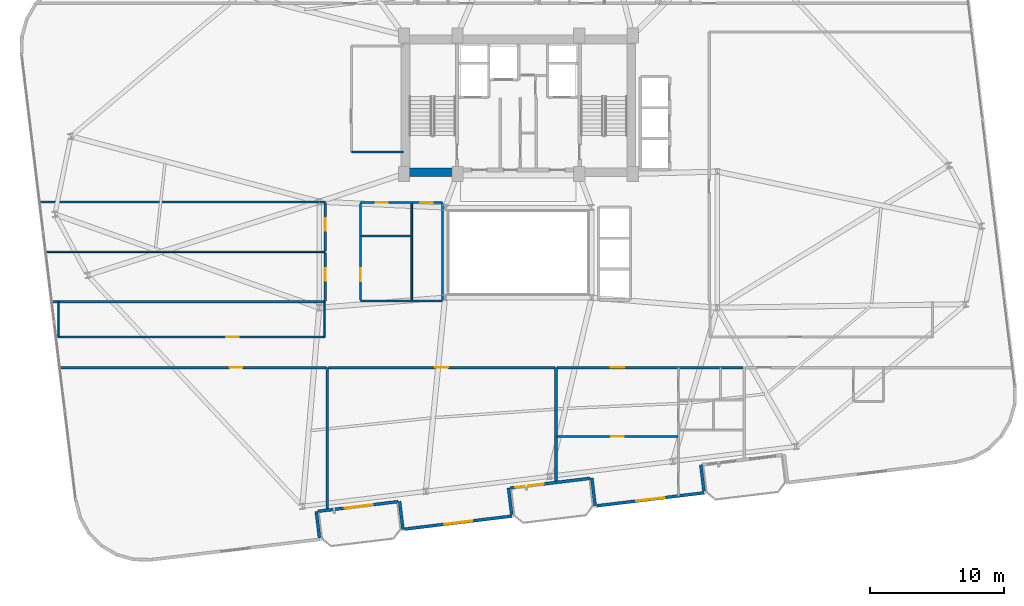
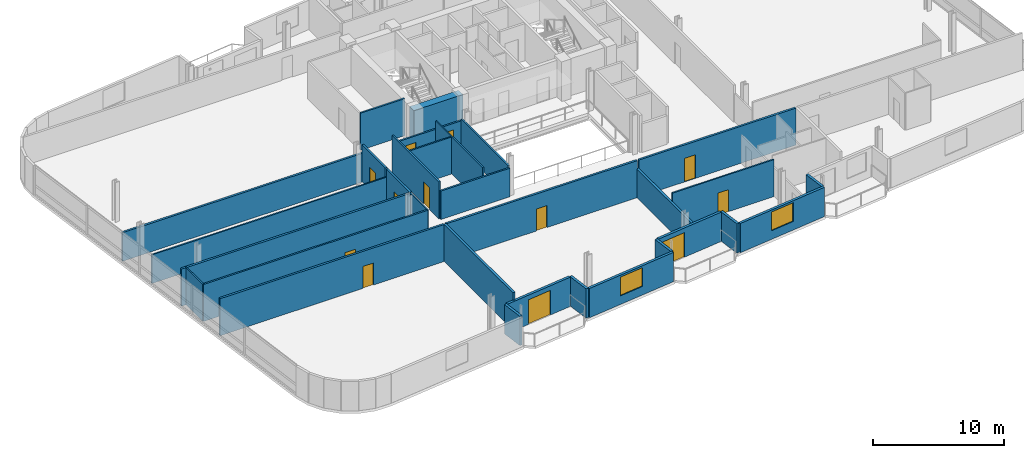
# One storey, part 14 of 22: 31 walls, 12 doors, 2 windows, 14 openings.
"""IFC4 building model written with IfcOpenShell, lengths in metres."""

from ifc_helpers import new_model, si_unit, direction, frame, frame_2d, origin, place, context, subcontext, project, spatial, rectangle, extrude, material, layer, layer_set, type_object, element, fill, save


model = new_model("IFC4")

# Units and contexts
model_context = context("Model", 3, precision=1e-05, world=origin(), true_north=direction((0.0, 1.0)))
body_context = subcontext(model_context, "Body", "Model", "MODEL_VIEW")
ifc_project = project(units=[si_unit("LENGTHUNIT", "METRE"), si_unit("AREAUNIT", "SQUARE_METRE"), si_unit("VOLUMEUNIT", "CUBIC_METRE"), si_unit("PLANEANGLEUNIT", "RADIAN"), si_unit("MASSUNIT", "GRAM", prefix="KILO")], contexts=[model_context])

# Site, building, storey
site_placement = place(None, origin())
site = spatial("IfcSite", under=ifc_project, at=site_placement, CompositionType="ELEMENT")
building_placement = place(site_placement, origin())
building = spatial("IfcBuilding", under=site, at=building_placement, Name="Varnelok Gate Tower", CompositionType="ELEMENT")
storey_placement = place(building_placement, frame((0.0, 0.0, 185.699951171875)))
storey = spatial("IfcBuildingStorey", under=building, at=storey_placement, Name="L47", CompositionType="ELEMENT", Elevation=185.699951171875)

# Wall, opening, door
ifc_material_1 = material(Name="Concrete C45/55", Category="concrete")
ifc_layer_1 = layer(ifc_material_1, 0.219970703125)
ifc_layer_set_1 = layer_set([ifc_layer_1], Name="Concrete C45/55")
wall_type_1 = type_object("IfcWallType", Name="EW-BALC-220", PredefinedType="SOLIDWALL", material=ifc_layer_set_1)
wall_1_placement = place(storey_placement, frame((30.25244140625, 4.381103515625, 0.0), z_axis=(0.0, 0.0, 1.0), x_axis=(-0.992735402148, -0.120318000826, 0.0)))
wall_1 = element("IfcWall", 1, at=wall_1_placement, inside=storey, type_object=wall_type_1, Name="L47 South Terrace Envelope Wall 1", PredefinedType="SOLIDWALL", context=body_context, shape_type="SweptSolid", body=[
    extrude(rectangle(XDim=6.000244140625, YDim=0.219970703125, at=frame_2d((3.0, 0.0))), origin(), (0.0, 0.0, 1.0), 2.72998046875),
])
opening_1_placement = place(wall_1_placement, frame((1.887939453125, 0.0, 0.0)))
opening_1 = element("IfcOpeningElement", 2, at=opening_1_placement, cuts=wall_1, Name="Opening BD-2", PredefinedType="OPENING", context=body_context, shape_type="SweptSolid", body=[
    extrude(rectangle(XDim=2.10009765625, YDim=2.300048828125, at=frame_2d((1.050048828125, 1.14990234375))), frame((0.0, 0.119873046875, 0.0), z_axis=(0.0, -1.0, 0.0), x_axis=(1.0, 0.0, 0.0)), (0.0, 0.0, 1.0), 0.239990234375),
])
ifc_material_2 = material(Name="Anodized Aluminum Alloy 6063-T6", Category="aluminium")
door_type_1 = type_object("IfcDoorType", Name="DR-EXT-SLID2100", OperationType="SLIDING_TO_LEFT", PredefinedType="DOOR", material=ifc_material_2)
door_1_placement = place(opening_1_placement, origin())
door_1 = element("IfcDoor", 3, at=door_1_placement, inside=storey, type_object=door_type_1, Name="L47 South Balcony Glazed Door 1", OperationType="SLIDING_TO_LEFT", OverallHeight=2.300048828125, OverallWidth=2.10009765625, PredefinedType="DOOR", context=body_context, shape_type="SweptSolid", body=[
    extrude(rectangle(XDim=2.10009765625, YDim=2.300048828125, at=frame_2d((1.050048828125, 1.14990234375))), frame((0.0, 0.02490234375, 0.0), z_axis=(0.0, -1.0, 0.0), x_axis=(1.0, 0.0, 0.0)), (0.0, 0.0, 1.0), 0.050048828125),
])
fill(opening_1, door_1)

wall_2_placement = place(storey_placement, frame((44.5478515625, 6.114013671875, 0.0), z_axis=(0.0, 0.0, 1.0), x_axis=(-0.992735402148, -0.120318000826, 0.0)))
wall_2 = element("IfcWall", 4, at=wall_2_placement, inside=storey, type_object=wall_type_1, Name="L47 South Terrace Envelope Wall 2", PredefinedType="SOLIDWALL", context=body_context, shape_type="SweptSolid", body=[
    extrude(rectangle(XDim=6.000244140625, YDim=0.219970703125, at=frame_2d((3.0, 0.0))), origin(), (0.0, 0.0, 1.0), 2.72998046875),
])
opening_2_placement = place(wall_2_placement, frame((3.5, 0.0, 0.0)))
opening_2 = element("IfcOpeningElement", 5, at=opening_2_placement, cuts=wall_2, Name="Opening BD-2", PredefinedType="OPENING", context=body_context, shape_type="SweptSolid", body=[
    extrude(rectangle(XDim=2.10009765625, YDim=2.300048828125, at=frame_2d((1.050048828125, 1.14990234375))), frame((0.0, 0.119873046875, 0.0), z_axis=(0.0, -1.0, 0.0), x_axis=(1.0, 0.0, 0.0)), (0.0, 0.0, 1.0), 0.239990234375),
])
door_2_placement = place(opening_2_placement, origin())
door_2 = element("IfcDoor", 6, at=door_2_placement, inside=storey, type_object=door_type_1, Name="L47 South Balcony Glazed Door 2", OperationType="SLIDING_TO_LEFT", OverallHeight=2.300048828125, OverallWidth=2.10009765625, PredefinedType="DOOR", context=body_context, shape_type="SweptSolid", body=[
    extrude(rectangle(XDim=2.10009765625, YDim=2.300048828125, at=frame_2d((1.050048828125, 1.14990234375))), frame((0.0, 0.02490234375, 0.0), z_axis=(0.0, -1.0, 0.0), x_axis=(1.0, 0.0, 0.0)), (0.0, 0.0, 1.0), 0.050048828125),
])
fill(opening_2, door_2)

# Walls
wall_3_placement = place(storey_placement, frame((24.413330078125, 1.694091796875, 0.0), z_axis=(0.0, 0.0, 1.0), x_axis=(-0.120290754542, 0.992738703976, 0.0)))
element("IfcWall", 7, at=wall_3_placement, inside=storey, type_object=wall_type_1, Name="L47 Perimeter Facade Closure Wall 8", PredefinedType="SOLIDWALL", context=body_context, shape_type="SweptSolid", body=[
    extrude(rectangle(XDim=1.974853515625, YDim=0.219970703125, at=frame_2d((0.9873046875, 0.0))), origin(), (0.0, 0.0, 1.0), 2.72998046875),
])
wall_4_placement = place(storey_placement, frame((30.370361328125, 4.405517578125, 0.0), z_axis=(0.0, 0.0, 1.0), x_axis=(0.120327895535, -0.992734202874, 0.0)))
element("IfcWall", 8, at=wall_4_placement, inside=storey, type_object=wall_type_1, Name="L47 Perimeter Facade Closure Wall 9", PredefinedType="SOLIDWALL", context=body_context, shape_type="SweptSolid", body=[
    extrude(rectangle(XDim=2.099853515625, YDim=0.219970703125, at=frame_2d((1.0498046875, 0.0))), origin(), (0.0, 0.0, 1.0), 2.72998046875),
])

# Wall, opening, window
wall_5_placement = place(storey_placement, frame((30.747314453125, 2.335693359375, 0.0), z_axis=(0.0, 0.0, 1.0), x_axis=(0.992731032022, 0.120354052946, 0.0)))
wall_5 = element("IfcWall", 9, at=wall_5_placement, inside=storey, type_object=wall_type_1, Name="L47 Perimeter Facade Closure Wall 10", PredefinedType="SOLIDWALL", context=body_context, shape_type="SweptSolid", body=[
    extrude(rectangle(XDim=8.034912109375, YDim=0.219970703125, at=frame_2d((4.017578125, 0.0))), origin(), (0.0, 0.0, 1.0), 2.72998046875),
])
opening_3_placement = place(wall_5_placement, frame((2.967529296875, 0.0, 0.800048828125)))
opening_3 = element("IfcOpeningElement", 10, at=opening_3_placement, cuts=wall_5, Name="Opening WN4", PredefinedType="OPENING", context=body_context, shape_type="SweptSolid", body=[
    extrude(rectangle(XDim=2.10009765625, YDim=1.75, at=frame_2d((1.050048828125, 0.875))), frame((0.0, 0.119873046875, 0.0), z_axis=(0.0, -1.0, 0.0), x_axis=(1.0, 0.0, 0.0)), (0.0, 0.0, 1.0), 0.239990234375),
])
ifc_material_3 = material(Name="Low-E Laminated Double Glazing IGU", Category="glass")
window_type = type_object("IfcWindowType", Name="WN-SUI-2100", PartitioningType="SINGLE_PANEL", PredefinedType="WINDOW", material=ifc_material_3)
window_1_placement = place(opening_3_placement, origin())
window_1 = element("IfcWindow", 11, at=window_1_placement, inside=storey, type_object=window_type, Name="L47 Perimeter Vision Window 10", OverallHeight=1.75, OverallWidth=2.10009765625, PartitioningType="SINGLE_PANEL", PredefinedType="WINDOW", context=body_context, shape_type="SweptSolid", body=[
    extrude(rectangle(XDim=2.10009765625, YDim=1.75, at=frame_2d((1.050048828125, 0.875))), frame((0.0, 0.030029296875, 0.0), z_axis=(0.0, -1.0, 0.0), x_axis=(1.0, 0.0, 0.0)), (0.0, 0.0, 1.0), 0.06005859375),
])
fill(opening_3, window_1)

# Walls
wall_6_placement = place(storey_placement, frame((38.708740234375, 3.427001953125, 0.0), z_axis=(0.0, 0.0, 1.0), x_axis=(-0.120397815541, 0.992725725472, 0.0)))
element("IfcWall", 12, at=wall_6_placement, inside=storey, type_object=wall_type_1, Name="L47 Perimeter Facade Closure Wall 11", PredefinedType="SOLIDWALL", context=body_context, shape_type="SweptSolid", body=[
    extrude(rectangle(XDim=1.97509765625, YDim=0.219970703125, at=frame_2d((0.987548828125, 0.0))), origin(), (0.0, 0.0, 1.0), 2.72998046875),
])
wall_7_placement = place(storey_placement, frame((44.665771484375, 6.138427734375, 0.0), z_axis=(0.0, 0.0, 1.0), x_axis=(0.120327895535, -0.992734202874, 0.0)))
element("IfcWall", 13, at=wall_7_placement, inside=storey, type_object=wall_type_1, Name="L47 Perimeter Facade Closure Wall 12", PredefinedType="SOLIDWALL", context=body_context, shape_type="SweptSolid", body=[
    extrude(rectangle(XDim=2.099853515625, YDim=0.219970703125, at=frame_2d((1.0498046875, 0.0))), origin(), (0.0, 0.0, 1.0), 2.72998046875),
])

# Wall, opening, window
wall_8_placement = place(storey_placement, frame((45.04248046875, 4.06884765625, 0.0), z_axis=(0.0, 0.0, 1.0), x_axis=(0.992731032022, 0.120354052946, 0.0)))
wall_8 = element("IfcWall", 14, at=wall_8_placement, inside=storey, type_object=wall_type_1, Name="L47 Perimeter Facade Closure Wall 13", PredefinedType="SOLIDWALL", context=body_context, shape_type="SweptSolid", body=[
    extrude(rectangle(XDim=8.034912109375, YDim=0.219970703125, at=frame_2d((4.017578125, 0.0))), origin(), (0.0, 0.0, 1.0), 2.72998046875),
])
opening_4_placement = place(wall_8_placement, frame((2.967529296875, 0.0, 0.800048828125)))
opening_4 = element("IfcOpeningElement", 15, at=opening_4_placement, cuts=wall_8, Name="Opening WN4", PredefinedType="OPENING", context=body_context, shape_type="SweptSolid", body=[
    extrude(rectangle(XDim=2.10009765625, YDim=1.75, at=frame_2d((1.050048828125, 0.875))), frame((0.0, 0.119873046875, 0.0), z_axis=(0.0, -1.0, 0.0), x_axis=(1.0, 0.0, 0.0)), (0.0, 0.0, 1.0), 0.239990234375),
])
window_2_placement = place(opening_4_placement, origin())
window_2 = element("IfcWindow", 16, at=window_2_placement, inside=storey, type_object=window_type, Name="L47 Perimeter Vision Window 13", OverallHeight=1.75, OverallWidth=2.10009765625, PartitioningType="SINGLE_PANEL", PredefinedType="WINDOW", context=body_context, shape_type="SweptSolid", body=[
    extrude(rectangle(XDim=2.10009765625, YDim=1.75, at=frame_2d((1.050048828125, 0.875))), frame((0.0, 0.030029296875, 0.0), z_axis=(0.0, -1.0, 0.0), x_axis=(1.0, 0.0, 0.0)), (0.0, 0.0, 1.0), 0.06005859375),
])
fill(opening_4, window_2)

# Wall
wall_9_placement = place(storey_placement, frame((53.004150390625, 5.159912109375, 0.0), z_axis=(0.0, 0.0, 1.0), x_axis=(-0.120397815541, 0.992725725472, 0.0)))
element("IfcWall", 17, at=wall_9_placement, inside=storey, type_object=wall_type_1, Name="L47 Perimeter Facade Closure Wall 14", PredefinedType="SOLIDWALL", context=body_context, shape_type="SweptSolid", body=[
    extrude(rectangle(XDim=1.97509765625, YDim=0.219970703125, at=frame_2d((0.987548828125, 0.0))), origin(), (0.0, 0.0, 1.0), 2.72998046875),
])

# Wall, opening, door
ifc_material_4 = material(Name="Gypsum Plasterboard Acoustic Partition", Category="gypsum")
ifc_layer_2 = layer(ifc_material_4, 0.179931640625)
ifc_layer_set_2 = layer_set([ifc_layer_2], Name="Gypsum Plasterboard Acoustic Partition")
wall_type_2 = type_object("IfcWallType", Name="PW-CORR-180", PredefinedType="PARTITIONING", material=ifc_layer_set_2)
wall_10_placement = place(storey_placement, frame((5.14990234375, 14.35009765625, 0.0), z_axis=(0.0, 0.0, 1.0), x_axis=(1.0, 0.0, 0.0)))
wall_10 = element("IfcWall", 18, at=wall_10_placement, inside=storey, type_object=wall_type_2, Name="Interior Partition", PredefinedType="PARTITIONING", context=body_context, shape_type="SweptSolid", body=[
    extrude(rectangle(XDim=19.77001953125, YDim=0.179931640625, at=frame_2d((9.885009765625, 0.0))), origin(), (0.0, 0.0, 1.0), 3.449951171875),
])
opening_5_placement = place(wall_10_placement, frame((12.574951171875, 0.0, 0.0)))
opening_5 = element("IfcOpeningElement", 19, at=opening_5_placement, cuts=wall_10, Name="Opening D-I2", PredefinedType="OPENING", context=body_context, shape_type="SweptSolid", body=[
    extrude(rectangle(XDim=0.949951171875, YDim=2.050048828125, at=frame_2d((0.47509765625, 1.02490234375))), frame((0.0, 0.099853515625, 0.0), z_axis=(0.0, -1.0, 0.0), x_axis=(1.0, 0.0, 0.0)), (0.0, 0.0, 1.0), 0.199951171875),
])
ifc_material_5 = material(Name="Engineered Hardwood Timber", Category="wood")
door_type_2 = type_object("IfcDoorType", Name="DR-INT-950", OperationType="NOTDEFINED", PredefinedType="DOOR", material=ifc_material_5)
door_3_placement = place(opening_5_placement, origin())
door_3 = element("IfcDoor", 20, at=door_3_placement, inside=storey, type_object=door_type_2, Name="L47 Private Owners Horizon Club Door", OperationType="SINGLE_SWING_LEFT", OverallHeight=2.050048828125, OverallWidth=0.949951171875, PredefinedType="DOOR", context=body_context, shape_type="SweptSolid", body=[
    extrude(rectangle(XDim=0.949951171875, YDim=2.050048828125, at=frame_2d((0.47509765625, 1.02490234375))), frame((0.0, 0.02490234375, 0.0), z_axis=(0.0, -1.0, 0.0), x_axis=(1.0, 0.0, 0.0)), (0.0, 0.0, 1.0), 0.050048828125),
])
fill(opening_5, door_3)

wall_11_placement = place(storey_placement, frame((25.080078125, 14.35009765625, 0.0), z_axis=(0.0, 0.0, 1.0), x_axis=(1.0, 0.0, 0.0)))
wall_11 = element("IfcWall", 21, at=wall_11_placement, inside=storey, type_object=wall_type_2, Name="Interior Partition", PredefinedType="PARTITIONING", context=body_context, shape_type="SweptSolid", body=[
    extrude(rectangle(XDim=16.83984375, YDim=0.179931640625, at=frame_2d((8.419921875, 0.0))), origin(), (0.0, 0.0, 1.0), 3.449951171875),
])
opening_6_placement = place(wall_11_placement, frame((7.945068359375, 0.0, 0.0)))
opening_6 = element("IfcOpeningElement", 22, at=opening_6_placement, cuts=wall_11, Name="Opening D-I2", PredefinedType="OPENING", context=body_context, shape_type="SweptSolid", body=[
    extrude(rectangle(XDim=0.949951171875, YDim=2.050048828125, at=frame_2d((0.47509765625, 1.02490234375))), frame((0.0, 0.099853515625, 0.0), z_axis=(0.0, -1.0, 0.0), x_axis=(1.0, 0.0, 0.0)), (0.0, 0.0, 1.0), 0.199951171875),
])
door_4_placement = place(opening_6_placement, origin())
door_4 = element("IfcDoor", 23, at=door_4_placement, inside=storey, type_object=door_type_2, Name="L47 Sky Library Door", OperationType="SINGLE_SWING_LEFT", OverallHeight=2.050048828125, OverallWidth=0.949951171875, PredefinedType="DOOR", context=body_context, shape_type="SweptSolid", body=[
    extrude(rectangle(XDim=0.949951171875, YDim=2.050048828125, at=frame_2d((0.47509765625, 1.02490234375))), frame((0.0, 0.02490234375, 0.0), z_axis=(0.0, -1.0, 0.0), x_axis=(1.0, 0.0, 0.0)), (0.0, 0.0, 1.0), 0.050048828125),
])
fill(opening_6, door_4)

wall_12_placement = place(storey_placement, frame((42.080078125, 14.35009765625, 0.0), z_axis=(0.0, 0.0, 1.0), x_axis=(1.0, 0.0, 0.0)))
wall_12 = element("IfcWall", 24, at=wall_12_placement, inside=storey, type_object=wall_type_2, Name="Interior Partition", PredefinedType="PARTITIONING", context=body_context, shape_type="SweptSolid", body=[
    extrude(rectangle(XDim=13.83984375, YDim=0.179931640625, at=frame_2d((6.919921875, 0.0))), origin(), (0.0, 0.0, 1.0), 3.449951171875),
])
opening_7_placement = place(wall_12_placement, frame((3.985107421875, 0.0, 0.0)))
opening_7 = element("IfcOpeningElement", 25, at=opening_7_placement, cuts=wall_12, Name="Opening D-AP", PredefinedType="OPENING", context=body_context, shape_type="SweptSolid", body=[
    extrude(rectangle(XDim=1.0, YDim=2.199951171875, at=frame_2d((0.5, 1.10009765625))), frame((0.0, 0.099853515625, 0.0), z_axis=(0.0, -1.0, 0.0), x_axis=(1.0, 0.0, 0.0)), (0.0, 0.0, 1.0), 0.199951171875),
])
door_type_3 = type_object("IfcDoorType", Name="DR-APT-1000", OperationType="NOTDEFINED", PredefinedType="DOOR", material=ifc_material_5)
door_5_placement = place(opening_7_placement, origin())
door_5 = element("IfcDoor", 26, at=door_5_placement, inside=storey, type_object=door_type_3, Name="L47 Apartment 3 Entrance Door", OperationType="SINGLE_SWING_RIGHT", OverallHeight=2.199951171875, OverallWidth=1.0, PredefinedType="DOOR", context=body_context, shape_type="SweptSolid", body=[
    extrude(rectangle(XDim=1.0, YDim=2.199951171875, at=frame_2d((0.5, 1.10009765625))), frame((0.0, 0.02490234375, 0.0), z_axis=(0.0, -1.0, 0.0), x_axis=(1.0, 0.0, 0.0)), (0.0, 0.0, 1.0), 0.050048828125),
])
fill(opening_7, door_5)

wall_13_placement = place(storey_placement, frame((24.85009765625, 19.300048828125, 0.0), z_axis=(0.0, 0.0, 1.0), x_axis=(0.0, 1.0, 0.0)))
wall_13 = element("IfcWall", 27, at=wall_13_placement, inside=storey, type_object=wall_type_2, Name="Interior Partition", PredefinedType="PARTITIONING", context=body_context, shape_type="SweptSolid", body=[
    extrude(rectangle(XDim=3.570068359375, YDim=0.179931640625, at=frame_2d((1.78515625, 0.0))), origin(), (0.0, 0.0, 1.0), 3.449951171875),
])
opening_8_placement = place(wall_13_placement, frame((1.49951171875, 0.0, 0.0)))
opening_8 = element("IfcOpeningElement", 28, at=opening_8_placement, cuts=wall_13, Name="Opening D-I3", PredefinedType="OPENING", context=body_context, shape_type="SweptSolid", body=[
    extrude(rectangle(XDim=0.919921875, YDim=2.050048828125, at=frame_2d((0.4599609375, 1.02490234375))), frame((0.0, 0.099853515625, 0.0), z_axis=(0.0, -1.0, 0.0), x_axis=(1.0, 0.0, 0.0)), (0.0, 0.0, 1.0), 0.199951171875),
])
door_type_4 = type_object("IfcDoorType", Name="DR-INT-920", OperationType="NOTDEFINED", PredefinedType="DOOR", material=ifc_material_5)
door_6_placement = place(opening_8_placement, origin())
door_6 = element("IfcDoor", 29, at=door_6_placement, inside=storey, type_object=door_type_4, Name="L47 West Wing Room 1 Door", OperationType="SINGLE_SWING_LEFT", OverallHeight=2.050048828125, OverallWidth=0.919921875, PredefinedType="DOOR", context=body_context, shape_type="SweptSolid", body=[
    extrude(rectangle(XDim=0.919921875, YDim=2.050048828125, at=frame_2d((0.4599609375, 1.02490234375))), frame((0.0, 0.02490234375, 0.0), z_axis=(0.0, -1.0, 0.0), x_axis=(1.0, 0.0, 0.0)), (0.0, 0.0, 1.0), 0.050048828125),
])
fill(opening_8, door_6)

wall_14_placement = place(storey_placement, frame((24.85009765625, 23.030029296875, 0.0), z_axis=(0.0, 0.0, 1.0), x_axis=(0.0, 1.0, 0.0)))
wall_14 = element("IfcWall", 30, at=wall_14_placement, inside=storey, type_object=wall_type_2, Name="Interior Partition", PredefinedType="PARTITIONING", context=body_context, shape_type="SweptSolid", body=[
    extrude(rectangle(XDim=3.570068359375, YDim=0.179931640625, at=frame_2d((1.78515625, 0.0))), origin(), (0.0, 0.0, 1.0), 3.449951171875),
])
opening_9_placement = place(wall_14_placement, frame((1.49951171875, 0.0, 0.0)))
opening_9 = element("IfcOpeningElement", 31, at=opening_9_placement, cuts=wall_14, Name="Opening D-I3", PredefinedType="OPENING", context=body_context, shape_type="SweptSolid", body=[
    extrude(rectangle(XDim=0.919921875, YDim=2.050048828125, at=frame_2d((0.4599609375, 1.02490234375))), frame((0.0, 0.099853515625, 0.0), z_axis=(0.0, -1.0, 0.0), x_axis=(1.0, 0.0, 0.0)), (0.0, 0.0, 1.0), 0.199951171875),
])
door_7_placement = place(opening_9_placement, origin())
door_7 = element("IfcDoor", 32, at=door_7_placement, inside=storey, type_object=door_type_4, Name="L47 West Wing Room 2 Door", OperationType="SINGLE_SWING_RIGHT", OverallHeight=2.050048828125, OverallWidth=0.919921875, PredefinedType="DOOR", context=body_context, shape_type="SweptSolid", body=[
    extrude(rectangle(XDim=0.919921875, YDim=2.050048828125, at=frame_2d((0.4599609375, 1.02490234375))), frame((0.0, 0.02490234375, 0.0), z_axis=(0.0, -1.0, 0.0), x_axis=(1.0, 0.0, 0.0)), (0.0, 0.0, 1.0), 0.050048828125),
])
fill(opening_9, door_7)

# Walls
wall_15_placement = place(storey_placement, frame((4.55712890625, 19.239990234375, 0.0), z_axis=(0.0, 0.0, 1.0), x_axis=(1.0, 0.0, 0.0)))
element("IfcWall", 33, at=wall_15_placement, inside=storey, type_object=wall_type_2, Name="Interior Partition", PredefinedType="PARTITIONING", context=body_context, shape_type="SweptSolid", body=[
    extrude(rectangle(XDim=20.29296875, YDim=0.179931640625, at=frame_2d((10.146484375, 0.0))), origin(), (0.0, 0.0, 1.0), 3.449951171875),
])
wall_16_placement = place(storey_placement, frame((3.65771484375, 26.659912109375, 0.0), z_axis=(0.0, 0.0, 1.0), x_axis=(1.0, 0.0, 0.0)))
element("IfcWall", 34, at=wall_16_placement, inside=storey, type_object=wall_type_2, Name="Interior Partition", PredefinedType="PARTITIONING", context=body_context, shape_type="SweptSolid", body=[
    extrude(rectangle(XDim=21.1923828125, YDim=0.179931640625, at=frame_2d((10.59619140625, 0.0))), origin(), (0.0, 0.0, 1.0), 2.662109375),
])
ifc_layer_3 = layer(ifc_material_4, 0.125)
ifc_layer_set_3 = layer_set([ifc_layer_3], Name="Gypsum Plasterboard Acoustic Partition")
wall_type_3 = type_object("IfcWallType", Name="PW-PART-125", PredefinedType="PARTITIONING", material=ifc_layer_set_3)
for number, where, z_axis, x_axis, name in (
    (35, (5.0, 16.610107421875, 0.0), (0.0, 0.0, 1.0), (0.0, 1.0, 0.0), "Interior Partition"),
    (36, (24.800048828125, 16.610107421875, 0.0), (0.0, 0.0, 1.0), (0.0, 1.0, 0.0), "Interior Partition"),
):
    element("IfcWall", number, at=place(storey_placement, frame(where, z_axis=z_axis, x_axis=x_axis)), inside=storey, type_object=wall_type_3, Name=name, PredefinedType="PARTITIONING", context=body_context, shape_type="SweptSolid", body=[
        extrude(rectangle(XDim=2.6298828125, YDim=0.125, at=frame_2d((1.31494140625, 0.0))), origin(), (0.0, 0.0, 1.0), 3.449951171875),
    ])

# Wall, opening, door
wall_17_placement = place(storey_placement, frame((42.080078125, 9.22412109375, 0.0), z_axis=(0.0, 0.0, 1.0), x_axis=(1.0, 0.0, 0.0)))
wall_17 = element("IfcWall", 37, at=wall_17_placement, inside=storey, type_object=wall_type_3, Name="Interior Partition", PredefinedType="PARTITIONING", context=body_context, shape_type="SweptSolid", body=[
    extrude(rectangle(XDim=8.969970703125, YDim=0.125, at=frame_2d((4.48486328125, 0.0))), origin(), (0.0, 0.0, 1.0), 3.449951171875),
])
opening_10_placement = place(wall_17_placement, frame((4.03662109375, 0.0, 0.0)))
opening_10 = element("IfcOpeningElement", 38, at=opening_10_placement, cuts=wall_17, Name="Opening D-I3", PredefinedType="OPENING", context=body_context, shape_type="SweptSolid", body=[
    extrude(rectangle(XDim=0.919921875, YDim=2.050048828125, at=frame_2d((0.4599609375, 1.02490234375))), frame((0.0, 0.072509765625, 0.0), z_axis=(0.0, -1.0, 0.0), x_axis=(1.0, 0.0, 0.0)), (0.0, 0.0, 1.0), 0.14501953125),
])
door_8_placement = place(opening_10_placement, origin())
door_8 = element("IfcDoor", 39, at=door_8_placement, inside=storey, type_object=door_type_4, Name="L47 Apartment 3 Study Door", OperationType="SINGLE_SWING_LEFT", OverallHeight=2.050048828125, OverallWidth=0.919921875, PredefinedType="DOOR", context=body_context, shape_type="SweptSolid", body=[
    extrude(rectangle(XDim=0.919921875, YDim=2.050048828125, at=frame_2d((0.4599609375, 1.02490234375))), frame((0.0, 0.02490234375, 0.0), z_axis=(0.0, -1.0, 0.0), x_axis=(1.0, 0.0, 0.0)), (0.0, 0.0, 1.0), 0.050048828125),
])
fill(opening_10, door_8)

# Walls
wall_18_placement = place(storey_placement, frame((4.107421875, 22.949951171875, 0.0), z_axis=(0.0, 0.0, 1.0), x_axis=(1.0, 0.0, 0.0)))
element("IfcWall", 40, at=wall_18_placement, inside=storey, type_object=wall_type_3, Name="Interior Partition", PredefinedType="PARTITIONING", context=body_context, shape_type="SweptSolid", body=[
    extrude(rectangle(XDim=20.74267578125, YDim=0.125, at=frame_2d((10.371337890625, 0.0))), origin(), (0.0, 0.0, 1.0), 2.662109375),
])
wall_19_placement = place(storey_placement, frame((31.280029296875, 19.3798828125, 0.0), z_axis=(0.0, 0.0, 1.0), x_axis=(0.0, 1.0, 0.0)))
element("IfcWall", 41, at=wall_19_placement, inside=storey, type_object=wall_type_3, Name="Interior Partition", PredefinedType="PARTITIONING", context=body_context, shape_type="SweptSolid", body=[
    extrude(rectangle(XDim=7.16015625, YDim=0.125, at=frame_2d((3.580078125, 0.0))), origin(), (0.0, 0.0, 1.0), 3.449951171875),
])
wall_20_placement = place(storey_placement, frame((27.52001953125, 24.1298828125, 0.0), z_axis=(0.0, 0.0, 1.0), x_axis=(1.0, 0.0, 0.0)))
element("IfcWall", 42, at=wall_20_placement, inside=storey, type_object=wall_type_3, Name="Interior Partition", PredefinedType="PARTITIONING", context=body_context, shape_type="SweptSolid", body=[
    extrude(rectangle(XDim=3.699951171875, YDim=0.125, at=frame_2d((1.85009765625, 0.0))), origin(), (0.0, 0.0, 1.0), 3.449951171875),
])

# Wall, opening, door
ifc_layer_4 = layer(ifc_material_4, 0.14990234375)
ifc_layer_set_4 = layer_set([ifc_layer_4], Name="Gypsum Plasterboard Acoustic Partition")
wall_type_4 = type_object("IfcWallType", Name="PW-PART-150", PredefinedType="PARTITIONING", material=ifc_layer_set_4)
wall_21_placement = place(storey_placement, frame((5.0, 16.610107421875, 0.0), z_axis=(0.0, 0.0, 1.0), x_axis=(1.0, 0.0, 0.0)))
wall_21 = element("IfcWall", 43, at=wall_21_placement, inside=storey, type_object=wall_type_4, Name="Interior Partition", PredefinedType="PARTITIONING", context=body_context, shape_type="SweptSolid", body=[
    extrude(rectangle(XDim=19.800048828125, YDim=0.14990234375, at=frame_2d((9.89990234375, 0.0))), origin(), (0.0, 0.0, 1.0), 3.449951171875),
])
opening_11_placement = place(wall_21_placement, frame((12.485107421875, 0.0, 0.0)))
opening_11 = element("IfcOpeningElement", 44, at=opening_11_placement, cuts=wall_21, Name="Opening D-I3", PredefinedType="OPENING", context=body_context, shape_type="SweptSolid", body=[
    extrude(rectangle(XDim=0.919921875, YDim=2.050048828125, at=frame_2d((0.4599609375, 1.02490234375))), frame((0.0, 0.0849609375, 0.0), z_axis=(0.0, -1.0, 0.0), x_axis=(1.0, 0.0, 0.0)), (0.0, 0.0, 1.0), 0.169921875),
])
door_9_placement = place(opening_11_placement, origin())
door_9 = element("IfcDoor", 45, at=door_9_placement, inside=storey, type_object=door_type_4, Name="L47 Atrium Room 1 Door", OperationType="SINGLE_SWING_LEFT", OverallHeight=2.050048828125, OverallWidth=0.919921875, PredefinedType="DOOR", context=body_context, shape_type="SweptSolid", body=[
    extrude(rectangle(XDim=0.919921875, YDim=2.050048828125, at=frame_2d((0.4599609375, 1.02490234375))), frame((0.0, 0.02490234375, 0.0), z_axis=(0.0, -1.0, 0.0), x_axis=(1.0, 0.0, 0.0)), (0.0, 0.0, 1.0), 0.050048828125),
])
fill(opening_11, door_9)

# Wall
wall_22_placement = place(storey_placement, frame((27.4599609375, 19.300048828125, 0.0), z_axis=(0.0, 0.0, 1.0), x_axis=(1.0, 0.0, 0.0)))
element("IfcWall", 46, at=wall_22_placement, inside=storey, type_object=wall_type_4, Name="Interior Partition", PredefinedType="PARTITIONING", context=body_context, shape_type="SweptSolid", body=[
    extrude(rectangle(XDim=6.10009765625, YDim=0.14990234375, at=frame_2d((3.050048828125, 0.0))), origin(), (0.0, 0.0, 1.0), 2.662109375),
])

# Wall, openings, doors
wall_23_placement = place(storey_placement, frame((27.4599609375, 26.6201171875, 0.0), z_axis=(0.0, 0.0, 1.0), x_axis=(1.0, 0.0, 0.0)))
wall_23 = element("IfcWall", 47, at=wall_23_placement, inside=storey, type_object=wall_type_4, Name="Interior Partition", PredefinedType="PARTITIONING", context=body_context, shape_type="SweptSolid", body=[
    extrude(rectangle(XDim=6.10009765625, YDim=0.14990234375, at=frame_2d((3.050048828125, 0.0))), origin(), (0.0, 0.0, 1.0), 2.662109375),
])
opening_12_placement = place(wall_23_placement, frame((1.14990234375, 0.0, 0.0)))
opening_12 = element("IfcOpeningElement", 48, at=opening_12_placement, cuts=wall_23, Name="Opening D-WC", PredefinedType="OPENING", context=body_context, shape_type="SweptSolid", body=[
    extrude(rectangle(XDim=0.89990234375, YDim=2.050048828125, at=frame_2d((0.449951171875, 1.02490234375))), frame((0.0, 0.0849609375, 0.0), z_axis=(0.0, -1.0, 0.0), x_axis=(1.0, 0.0, 0.0)), (0.0, 0.0, 1.0), 0.169921875),
])
opening_13_placement = place(wall_23_placement, frame((4.449951171875, 0.0, 0.0)))
opening_13 = element("IfcOpeningElement", 49, at=opening_13_placement, cuts=wall_23, Name="Opening D-I3", PredefinedType="OPENING", context=body_context, shape_type="SweptSolid", body=[
    extrude(rectangle(XDim=0.919921875, YDim=2.050048828125, at=frame_2d((0.4599609375, 1.02490234375))), frame((0.0, 0.0849609375, 0.0), z_axis=(0.0, -1.0, 0.0), x_axis=(1.0, 0.0, 0.0)), (0.0, 0.0, 1.0), 0.169921875),
])
door_type_5 = type_object("IfcDoorType", Name="DR-BATH-900", OperationType="NOTDEFINED", PredefinedType="DOOR", material=ifc_material_5)
door_10_placement = place(opening_12_placement, origin())
door_10 = element("IfcDoor", 50, at=door_10_placement, inside=storey, type_object=door_type_5, Name="L47 Accessible Floor WC Door", OperationType="SINGLE_SWING_LEFT", OverallHeight=2.050048828125, OverallWidth=0.89990234375, PredefinedType="DOOR", context=body_context, shape_type="SweptSolid", body=[
    extrude(rectangle(XDim=0.89990234375, YDim=2.050048828125, at=frame_2d((0.449951171875, 1.02490234375))), frame((0.0, 0.02490234375, 0.0), z_axis=(0.0, -1.0, 0.0), x_axis=(1.0, 0.0, 0.0)), (0.0, 0.0, 1.0), 0.050048828125),
])
fill(opening_12, door_10)
door_11_placement = place(opening_13_placement, origin())
door_11 = element("IfcDoor", 51, at=door_11_placement, inside=storey, type_object=door_type_4, Name="L47 Valet Pantry Door", OperationType="SINGLE_SWING_RIGHT", OverallHeight=2.050048828125, OverallWidth=0.919921875, PredefinedType="DOOR", context=body_context, shape_type="SweptSolid", body=[
    extrude(rectangle(XDim=0.919921875, YDim=2.050048828125, at=frame_2d((0.4599609375, 1.02490234375))), frame((0.0, 0.02490234375, 0.0), z_axis=(0.0, -1.0, 0.0), x_axis=(1.0, 0.0, 0.0)), (0.0, 0.0, 1.0), 0.050048828125),
])
fill(opening_13, door_11)

# Wall, opening, door
wall_24_placement = place(storey_placement, frame((27.4599609375, 19.3798828125, 0.0), z_axis=(0.0, 0.0, 1.0), x_axis=(0.0, 1.0, 0.0)))
wall_24 = element("IfcWall", 52, at=wall_24_placement, inside=storey, type_object=wall_type_4, Name="Interior Partition", PredefinedType="PARTITIONING", context=body_context, shape_type="SweptSolid", body=[
    extrude(rectangle(XDim=7.16015625, YDim=0.14990234375, at=frame_2d((3.580078125, 0.0))), origin(), (0.0, 0.0, 1.0), 3.449951171875),
])
opening_14_placement = place(wall_24_placement, frame((1.39990234375, 0.0, 0.0)))
opening_14 = element("IfcOpeningElement", 53, at=opening_14_placement, cuts=wall_24, Name="Opening D-I2", PredefinedType="OPENING", context=body_context, shape_type="SweptSolid", body=[
    extrude(rectangle(XDim=0.949951171875, YDim=2.050048828125, at=frame_2d((0.47509765625, 1.02490234375))), frame((0.0, 0.0849609375, 0.0), z_axis=(0.0, -1.0, 0.0), x_axis=(1.0, 0.0, 0.0)), (0.0, 0.0, 1.0), 0.169921875),
])
door_12_placement = place(opening_14_placement, origin())
door_12 = element("IfcDoor", 54, at=door_12_placement, inside=storey, type_object=door_type_2, Name="L47 Sky Library Door", OperationType="SINGLE_SWING_LEFT", OverallHeight=2.050048828125, OverallWidth=0.949951171875, PredefinedType="DOOR", context=body_context, shape_type="SweptSolid", body=[
    extrude(rectangle(XDim=0.949951171875, YDim=2.050048828125, at=frame_2d((0.47509765625, 1.02490234375))), frame((0.0, 0.02490234375, 0.0), z_axis=(0.0, -1.0, 0.0), x_axis=(1.0, 0.0, 0.0)), (0.0, 0.0, 1.0), 0.050048828125),
])
fill(opening_14, door_12)

# Walls
wall_25_placement = place(storey_placement, frame((33.56005859375, 19.3798828125, 0.0), z_axis=(0.0, 0.0, 1.0), x_axis=(0.0, 1.0, 0.0)))
element("IfcWall", 55, at=wall_25_placement, inside=storey, type_object=wall_type_4, Name="Interior Partition", PredefinedType="PARTITIONING", context=body_context, shape_type="SweptSolid", body=[
    extrude(rectangle(XDim=7.16015625, YDim=0.14990234375, at=frame_2d((3.580078125, 0.0))), origin(), (0.0, 0.0, 1.0), 2.823974609375),
])
wall_26_placement = place(storey_placement, frame((26.780029296875, 30.360107421875, 0.0), z_axis=(0.0, 0.0, 1.0), x_axis=(1.0, 0.0, 0.0)))
element("IfcWall", 56, at=wall_26_placement, inside=storey, type_object=wall_type_4, Name="Interior Partition", PredefinedType="PARTITIONING", context=body_context, shape_type="SweptSolid", body=[
    extrude(rectangle(XDim=3.89990234375, YDim=0.14990234375, at=frame_2d((1.949951171875, 0.0))), origin(), (0.0, 0.0, 1.0), 3.449951171875),
])
ifc_layer_5 = layer(ifc_material_4, 0.205078125)
ifc_layer_set_5 = layer_set([ifc_layer_5], Name="Gypsum Plasterboard Acoustic Partition")
wall_type_5 = type_object("IfcWallType", Name="PW-PARTY-200", PredefinedType="PARTITIONING", material=ifc_layer_set_5)
wall_27_placement = place(storey_placement, frame((25.0, 3.774658203125, 0.0), z_axis=(0.0, 0.0, 1.0), x_axis=(0.0, 1.0, 0.0)))
element("IfcWall", 57, at=wall_27_placement, inside=storey, type_object=wall_type_5, Name="L47 South Party Wall 1", PredefinedType="PARTITIONING", context=body_context, shape_type="SweptSolid", body=[
    extrude(rectangle(XDim=10.575439453125, YDim=0.205078125, at=frame_2d((5.28759765625, 0.0))), origin(), (0.0, 0.0, 1.0), 3.449951171875),
])
wall_28_placement = place(storey_placement, frame((42.0, 5.83544921875, 0.0), z_axis=(0.0, 0.0, 1.0), x_axis=(0.0, 1.0, 0.0)))
element("IfcWall", 58, at=wall_28_placement, inside=storey, type_object=wall_type_5, Name="L47 South Party Wall 2", PredefinedType="PARTITIONING", context=body_context, shape_type="SweptSolid", body=[
    extrude(rectangle(XDim=8.5146484375, YDim=0.205078125, at=frame_2d((4.25732421875, 0.0))), origin(), (0.0, 0.0, 1.0), 2.662109375),
])
ifc_material_6 = material(Name="Concrete C60/75", Category="concrete")
ifc_layer_6 = layer(ifc_material_6, 0.64990234375)
ifc_layer_set_6 = layer_set([ifc_layer_6], Name="Concrete C60/75")
wall_type_6 = type_object("IfcWallType", Name="SW-CORE-650", PredefinedType="SHEAR", material=ifc_layer_set_6)
wall_29_placement = place(storey_placement, frame((30.47998046875, 28.875, 0.0), z_axis=(0.0, 0.0, 1.0), x_axis=(1.0, 0.0, 0.0)))
element("IfcWall", 59, at=wall_29_placement, inside=storey, type_object=wall_type_6, Name="L47 Rear Core South-West Shear Wall", PredefinedType="SHEAR", context=body_context, shape_type="SweptSolid", body=[
    extrude(rectangle(XDim=4.320068359375, YDim=0.64990234375, at=frame_2d((2.16015625, 0.0))), origin(), (0.0, 0.0, 1.0), 3.449951171875),
])

save(model, "model.ifc")
